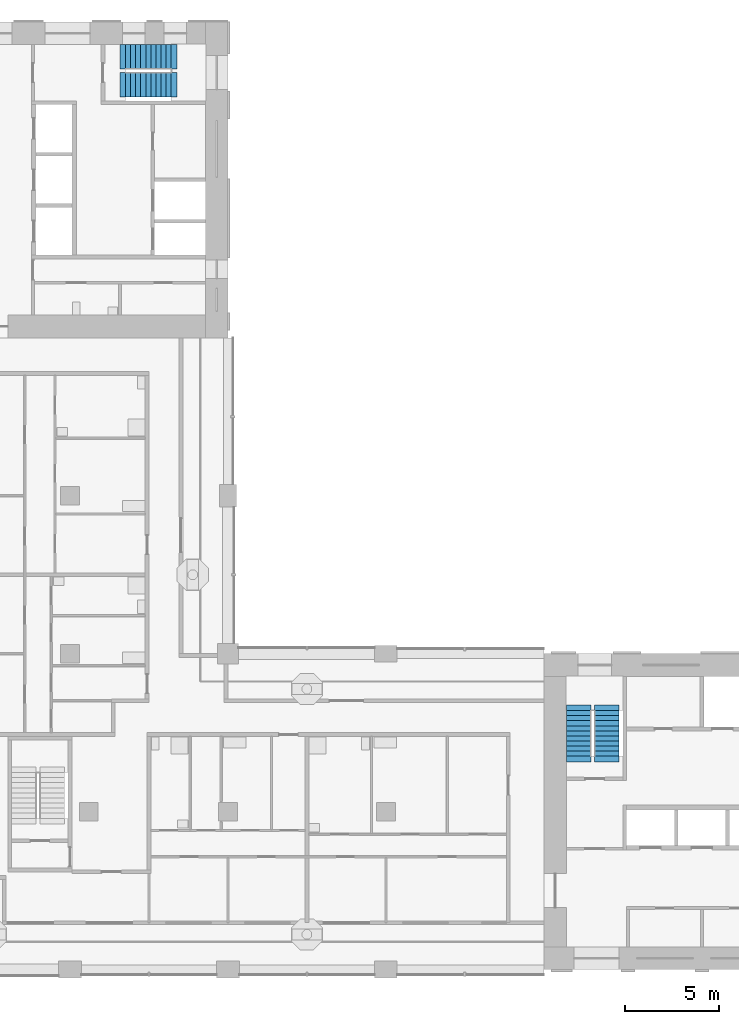
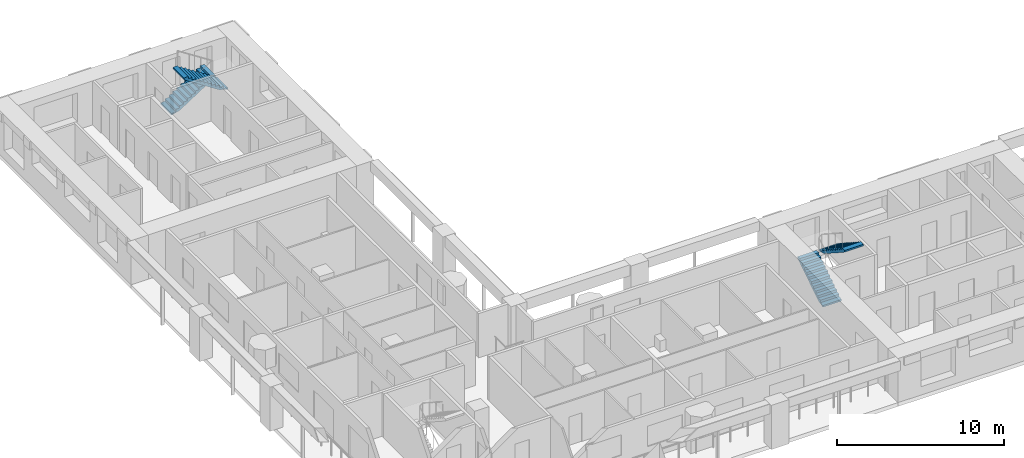
# One storey, part 7 of 13: 4 stair flights, 2 elements without a shape of their own.
"""IFC4 building model written with IfcOpenShell, lengths in metres."""

from ifc_helpers import new_model, si_unit, direction, frame, origin, place, context, subcontext, project, spatial, polyline, outline, extrude, material, type_object, element, aggregate, save


model = new_model("IFC4")

# Units and contexts
model_context = context("Model", 3, precision=1e-05, world=origin(), true_north=direction((0.0, 1.0)))
body_context = subcontext(model_context, "Body", "Model", "MODEL_VIEW")
ifc_project = project(units=[si_unit("LENGTHUNIT", "METRE"), si_unit("AREAUNIT", "SQUARE_METRE"), si_unit("VOLUMEUNIT", "CUBIC_METRE"), si_unit("PLANEANGLEUNIT", "RADIAN"), si_unit("MASSUNIT", "GRAM", prefix="KILO")], contexts=[model_context])

# Site, building, storey
site_placement = place(None, origin())
site = spatial("IfcSite", under=ifc_project, at=site_placement, CompositionType="ELEMENT")
building_placement = place(site_placement, origin())
building = spatial("IfcBuilding", under=site, at=building_placement, Name="Vermilion Gate Residences", CompositionType="ELEMENT")
storey_placement = place(building_placement, frame((0.0, 0.0, 186.199951171875)))
storey = spatial("IfcBuildingStorey", under=building, at=storey_placement, Name="L48", CompositionType="ELEMENT", Elevation=186.199951171875)

# Stair, stair flights
ifc_material_1 = material(Name="Concrete C50", Category="concrete")
stair_type = type_object("IfcStairType", Name="SPECIAL ESCAPE STAIR 1300", PredefinedType="HALF_TURN_STAIR", material=ifc_material_1)
stair_1_placement = place(storey_placement, origin())
stair_1 = element("IfcStair", 1, at=stair_1_placement, inside=storey, type_object=stair_type, Name="Special escape stair STA1-48", PredefinedType="HALF_TURN_STAIR")
ifc_material_2 = material(Name="Concrete C50", Category="concrete")
stair_flight_type = type_object("IfcStairFlightType", Name="STAIR FLIGHT 1300 RC C50", PredefinedType="STRAIGHT", material=ifc_material_2)
stair_flight_1_placement = place(storey_placement, frame((43.85009765625, 19.75, 0.0), z_axis=(0.0, 0.0, 1.0), x_axis=(0.0, 1.0, 0.0)))
stair_flight_1 = element("IfcStairFlight", 2, at=stair_flight_1_placement, type_object=stair_flight_type, Name="STA1-48 flight 1", NumberOfRisers=10, NumberOfTreads=9, PredefinedType="STRAIGHT", RiserHeight=0.175, TreadLength=0.27, context=body_context, shape_type="SweptSolid", body=[
    extrude(outline(polyline([(-0.300048828125, -0.14990234375), (-0.300048828125, -0.030029296875), (0.0, 0.0), (0.0, 0.175048828125), (0.27001953125, 0.175048828125), (0.27001953125, 0.35009765625), (0.5400390625, 0.35009765625), (0.5400390625, 0.52490234375), (0.81005859375, 0.52490234375), (0.81005859375, 0.699951171875), (1.080078125, 0.699951171875), (1.080078125, 0.875), (1.35009765625, 0.875), (1.35009765625, 1.050048828125), (1.6201171875, 1.050048828125), (1.6201171875, 1.22509765625), (1.889892578125, 1.22509765625), (1.889892578125, 1.39990234375), (2.159912109375, 1.39990234375), (2.159912109375, 1.574951171875), (2.429931640625, 1.574951171875), (2.429931640625, 1.75), (2.72998046875, 1.719970703125), (2.72998046875, 1.60009765625), (2.429931640625, 1.396484375), (0.275634765625, 0.0), (-0.300048828125, -0.14990234375)])), frame((0.0, 0.64990234375, 0.0), z_axis=(0.0, -1.0, 0.0), x_axis=(1.0, 0.0, 0.0)), (0.0, 0.0, 1.0), 1.300048828125),
])
stair_flight_2_placement = place(storey_placement, frame((45.35009765625, 22.179931640625, 1.75), z_axis=(0.0, 0.0, 1.0), x_axis=(0.0, -1.0, 0.0)))
stair_flight_2 = element("IfcStairFlight", 3, at=stair_flight_2_placement, type_object=stair_flight_type, Name="STA1-48 flight 2", NumberOfRisers=10, NumberOfTreads=9, PredefinedType="STRAIGHT", RiserHeight=0.175, TreadLength=0.27, context=body_context, shape_type="SweptSolid", body=[
    extrude(outline(polyline([(-0.300048828125, -0.14990234375), (-0.300048828125, -0.030029296875), (0.0, 0.0), (0.0, 0.175048828125), (0.27001953125, 0.175048828125), (0.27001953125, 0.35009765625), (0.5400390625, 0.35009765625), (0.5400390625, 0.52490234375), (0.81005859375, 0.52490234375), (0.81005859375, 0.699951171875), (1.080078125, 0.699951171875), (1.080078125, 0.875), (1.35009765625, 0.875), (1.35009765625, 1.050048828125), (1.6201171875, 1.050048828125), (1.6201171875, 1.22509765625), (1.889892578125, 1.22509765625), (1.889892578125, 1.39990234375), (2.159912109375, 1.39990234375), (2.159912109375, 1.574951171875), (2.429931640625, 1.574951171875), (2.429931640625, 1.75), (2.72998046875, 1.719970703125), (2.72998046875, 1.60009765625), (2.429931640625, 1.396484375), (0.275634765625, 0.0), (-0.300048828125, -0.14990234375)])), frame((0.0, 0.64990234375, 0.0), z_axis=(0.0, -1.0, 0.0), x_axis=(1.0, 0.0, 0.0)), (0.0, 0.0, 1.0), 1.300048828125),
])
aggregate(stair_1, [stair_flight_1, stair_flight_2])

stair_2_placement = place(storey_placement, origin())
stair_2 = element("IfcStair", 4, at=stair_2_placement, inside=storey, type_object=stair_type, Name="Special escape stair STB1-48", PredefinedType="HALF_TURN_STAIR")
stair_flight_3_placement = place(storey_placement, frame((19.75, 56.949951171875, 0.0), z_axis=(0.0, 0.0, 1.0), x_axis=(1.0, 0.0, 0.0)))
stair_flight_3 = element("IfcStairFlight", 5, at=stair_flight_3_placement, type_object=stair_flight_type, Name="STB1-48 flight 1", NumberOfRisers=10, NumberOfTreads=9, PredefinedType="STRAIGHT", RiserHeight=0.175, TreadLength=0.27, context=body_context, shape_type="SweptSolid", body=[
    extrude(outline(polyline([(-0.300048828125, -0.14990234375), (-0.300048828125, -0.030029296875), (0.0, 0.0), (0.0, 0.175048828125), (0.27001953125, 0.175048828125), (0.27001953125, 0.35009765625), (0.5400390625, 0.35009765625), (0.5400390625, 0.52490234375), (0.81005859375, 0.52490234375), (0.81005859375, 0.699951171875), (1.080078125, 0.699951171875), (1.080078125, 0.875), (1.35009765625, 0.875), (1.35009765625, 1.050048828125), (1.6201171875, 1.050048828125), (1.6201171875, 1.22509765625), (1.889892578125, 1.22509765625), (1.889892578125, 1.39990234375), (2.159912109375, 1.39990234375), (2.159912109375, 1.574951171875), (2.429931640625, 1.574951171875), (2.429931640625, 1.75), (2.72998046875, 1.719970703125), (2.72998046875, 1.60009765625), (2.429931640625, 1.396484375), (0.275634765625, 0.0), (-0.300048828125, -0.14990234375)])), frame((0.0, 0.64990234375, 0.0), z_axis=(0.0, -1.0, 0.0), x_axis=(1.0, 0.0, 0.0)), (0.0, 0.0, 1.0), 1.300048828125),
])
stair_flight_4_placement = place(storey_placement, frame((22.179931640625, 55.449951171875, 1.75), z_axis=(0.0, 0.0, 1.0), x_axis=(-1.0, 0.0, 0.0)))
stair_flight_4 = element("IfcStairFlight", 6, at=stair_flight_4_placement, type_object=stair_flight_type, Name="STB1-48 flight 2", NumberOfRisers=10, NumberOfTreads=9, PredefinedType="STRAIGHT", RiserHeight=0.175, TreadLength=0.27, context=body_context, shape_type="SweptSolid", body=[
    extrude(outline(polyline([(-0.300048828125, -0.14990234375), (-0.300048828125, -0.030029296875), (0.0, 0.0), (0.0, 0.175048828125), (0.27001953125, 0.175048828125), (0.27001953125, 0.35009765625), (0.5400390625, 0.35009765625), (0.5400390625, 0.52490234375), (0.81005859375, 0.52490234375), (0.81005859375, 0.699951171875), (1.080078125, 0.699951171875), (1.080078125, 0.875), (1.35009765625, 0.875), (1.35009765625, 1.050048828125), (1.6201171875, 1.050048828125), (1.6201171875, 1.22509765625), (1.889892578125, 1.22509765625), (1.889892578125, 1.39990234375), (2.159912109375, 1.39990234375), (2.159912109375, 1.574951171875), (2.429931640625, 1.574951171875), (2.429931640625, 1.75), (2.72998046875, 1.719970703125), (2.72998046875, 1.60009765625), (2.429931640625, 1.396484375), (0.275634765625, 0.0), (-0.300048828125, -0.14990234375)])), frame((0.0, 0.64990234375, 0.0), z_axis=(0.0, -1.0, 0.0), x_axis=(1.0, 0.0, 0.0)), (0.0, 0.0, 1.0), 1.300048828125),
])
aggregate(stair_2, [stair_flight_3, stair_flight_4])

save(model, "model.ifc")
